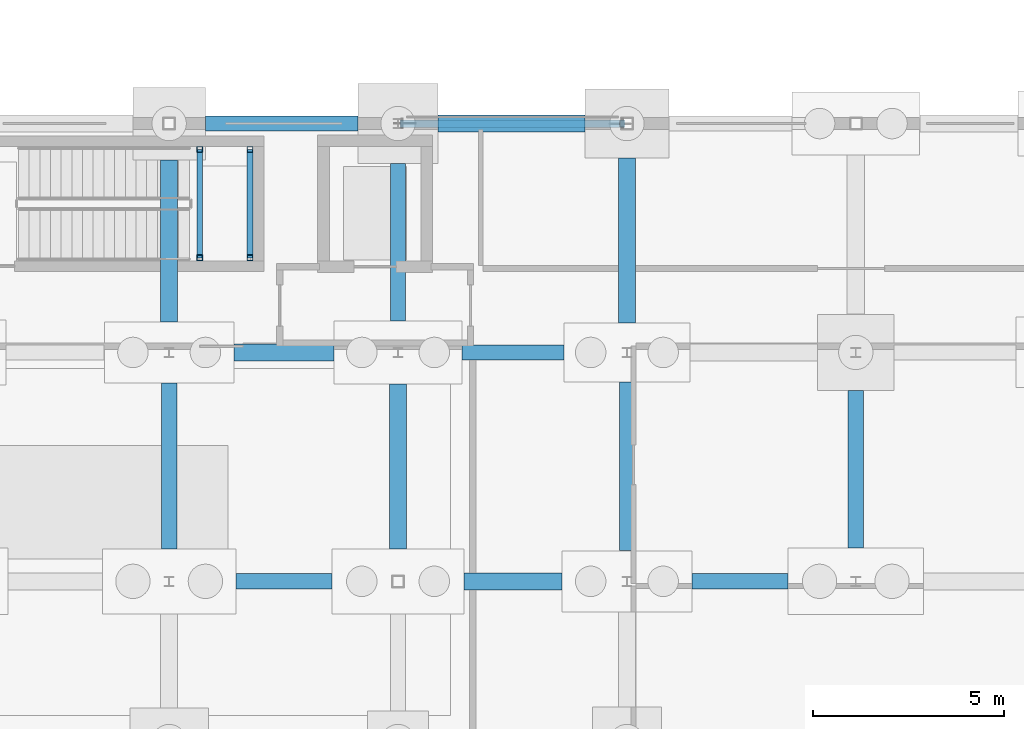
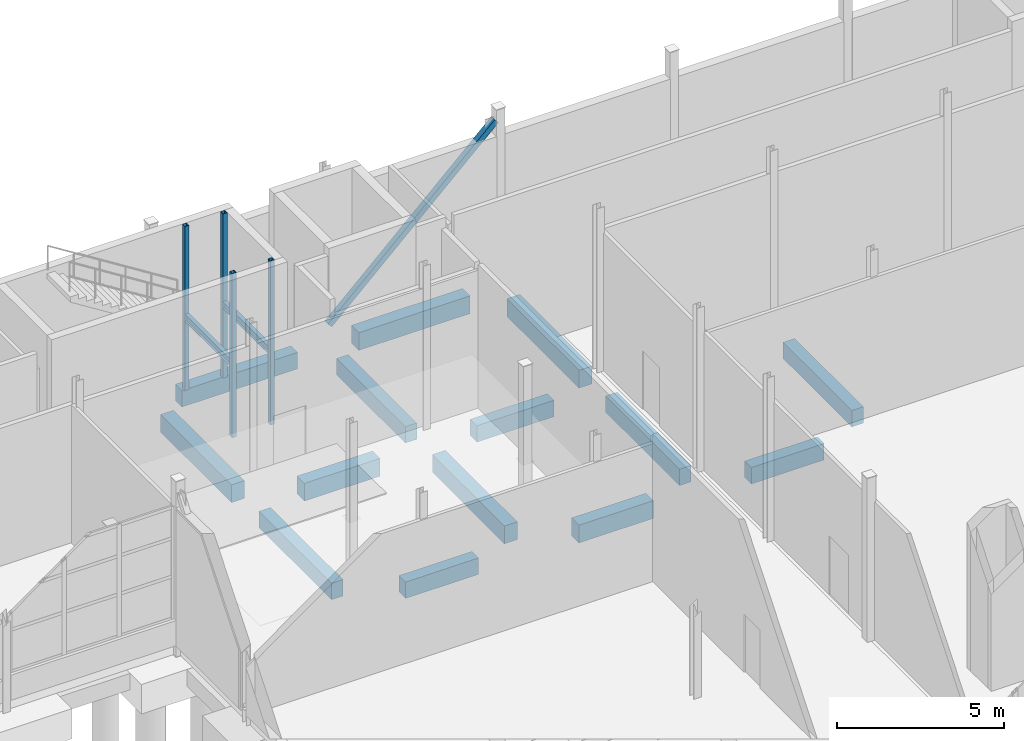
# One storey, part 57 of 120: 16 beams, 5 members.
"""IFC4 building model written with IfcOpenShell, lengths in metres."""

from ifc_helpers import new_model, si_unit, direction, frame, origin, origin_2d, place, context, subcontext, project, spatial, rectangle, hollow_rectangle, i_section, extrude, material, material_profile, profile_set, type_object, element, save


model = new_model("IFC4")

# Units and contexts
model_context = context("Model", 3, precision=1e-05, world=origin(), true_north=direction((0.0, 1.0)))
body_context = subcontext(model_context, "Body", "Model", "MODEL_VIEW")
ifc_project = project(units=[si_unit("LENGTHUNIT", "METRE"), si_unit("AREAUNIT", "SQUARE_METRE"), si_unit("VOLUMEUNIT", "CUBIC_METRE"), si_unit("PLANEANGLEUNIT", "RADIAN"), si_unit("MASSUNIT", "GRAM", prefix="KILO")], contexts=[model_context])

# Site, building, storey
site_placement = place(None, origin())
site = spatial("IfcSite", under=ifc_project, at=site_placement, CompositionType="ELEMENT")
building_placement = place(site_placement, origin())
building = spatial("IfcBuilding", under=site, at=building_placement, Name="Siltcreek Boulevard Central Fire Station", CompositionType="ELEMENT")
storey_placement = place(building_placement, origin())
storey = spatial("IfcBuildingStorey", under=building, at=storey_placement, Name="L01", CompositionType="ELEMENT", Elevation=0.0)

# Members
ifc_material_1 = material(Name="Structural steel ASTM A500 GrC", Category="steel")
ifc_material_profile_1 = material_profile(ifc_material_1, hollow_rectangle(XDim=0.14990234375, YDim=0.14990234375, WallThickness=0.008056640625, at=origin_2d()), Name="HSS150X150X8.0")
ifc_profile_set_1 = profile_set([ifc_material_profile_1], Name="Structural steel ASTM A500 GrC")
member_type_1 = type_object("IfcMemberType", Name="BR_HSS150_8", PredefinedType="BRACE", material=ifc_profile_set_1)
for number, where, z_axis, x_axis, name in (
    (1, (131.0, 26.47998046875, 0.0), (0.0, 0.0, 1.0), (1.0, 0.0, 0.0), "L01 ST-V6A stair landing corner post SW"),
    (2, (131.0, 29.320068359375, 0.0), (0.0, 0.0, 1.0), (1.0, 0.0, 0.0), "L01 ST-V6A stair landing corner post NW"),
    (3, (132.320068359375, 26.47998046875, 0.0), (0.0, 0.0, 1.0), (1.0, 0.0, 0.0), "L01 ST-V6A stair landing corner post SE"),
    (4, (132.320068359375, 29.320068359375, 0.0), (0.0, 0.0, 1.0), (1.0, 0.0, 0.0), "L01 ST-V6A stair landing corner post NE"),
):
    element("IfcMember", number, at=place(storey_placement, frame(where, z_axis=z_axis, x_axis=x_axis)), inside=storey, type_object=member_type_1, Name=name, PredefinedType="BRACE", context=body_context, shape_type="SweptSolid", body=[
        extrude(hollow_rectangle(XDim=0.14990234375, YDim=0.14990234375, WallThickness=0.008056640625, at=origin_2d()), origin(), (0.0, 0.0, 1.0), 6.0),
    ])
ifc_material_profile_2 = material_profile(ifc_material_1, hollow_rectangle(XDim=0.199951171875, YDim=0.199951171875, WallThickness=0.00634765625, at=origin_2d()), Name="HSS200X200X6.4")
ifc_profile_set_2 = profile_set([ifc_material_profile_2], Name="Structural steel ASTM A500 GrC")
member_type_2 = type_object("IfcMemberType", Name="BR_HSS200_6", PredefinedType="BRACE", material=ifc_profile_set_2)
member_placement = place(storey_placement, frame((136.320068359375, 30.0, 0.10009765625), z_axis=(0.726386990368, 0.0, 0.687285923197), x_axis=(0.0, 1.0, 0.0)))
element("IfcMember", 5, at=member_placement, inside=storey, type_object=member_type_2, Name="L01 buckling-restrained brace BR-039", PredefinedType="BRACE", context=body_context, shape_type="SweptSolid", body=[
    extrude(hollow_rectangle(XDim=0.199951171875, YDim=0.199951171875, WallThickness=0.00634765625, at=origin_2d()), origin(), (0.0, 0.0, 1.0), 7.9296875),
])

# Beams
ifc_material_2 = material(Name="Concrete C35/45", Category="concrete")
ifc_material_profile_3 = material_profile(ifc_material_2, rectangle(XDim=0.39990234375, YDim=0.60009765625, at=origin_2d()), Name="RC400X600")
ifc_profile_set_3 = profile_set([ifc_material_profile_3], Name="Concrete C35/45")
beam_type_1 = type_object("IfcBeamType", Name="GB_RC400X600", PredefinedType="USERDEFINED", material=ifc_profile_set_3)
for number, where, z_axis, x_axis, name in (
    (6, (131.951904296875, 18.0, -0.7099609375), (1.0, 0.0, 0.0), (0.0, 1.0, 0.0), "Reinforced concrete tie grade beam GB-045"),
    (7, (143.902099609375, 18.0, -0.7099609375), (1.0, 0.0, 0.0), (0.0, 1.0, 0.0), "Reinforced concrete tie grade beam GB-047"),
):
    element("IfcBeam", number, at=place(storey_placement, frame(where, z_axis=z_axis, x_axis=x_axis)), inside=storey, type_object=beam_type_1, Name=name, ObjectType="GRADE BEAM", PredefinedType="USERDEFINED", context=body_context, shape_type="SweptSolid", body=[
        extrude(rectangle(XDim=0.39990234375, YDim=0.60009765625, at=origin_2d()), origin(), (0.0, 0.0, 1.0), 2.52099609375),
    ])
beam_1_placement = place(storey_placement, frame((137.876953125, 24.0, -0.7099609375), z_axis=(1.0, 0.0, 0.0), x_axis=(0.0, 1.0, 0.0)))
element("IfcBeam", 8, at=beam_1_placement, inside=storey, type_object=beam_type_1, Name="Reinforced concrete tie grade beam GB-061", ObjectType="GRADE BEAM", PredefinedType="USERDEFINED", context=body_context, shape_type="SweptSolid", body=[
    extrude(rectangle(XDim=0.39990234375, YDim=0.60009765625, at=origin_2d()), origin(), (0.0, 0.0, 1.0), 2.671142578125),
])
beam_2_placement = place(storey_placement, frame((131.152099609375, 30.0, -0.7099609375), z_axis=(1.0, 0.0, 0.0), x_axis=(0.0, 1.0, 0.0)))
element("IfcBeam", 9, at=beam_2_placement, inside=storey, type_object=beam_type_1, Name="Reinforced concrete tie grade beam GB-075", ObjectType="GRADE BEAM", PredefinedType="USERDEFINED", context=body_context, shape_type="SweptSolid", body=[
    extrude(rectangle(XDim=0.39990234375, YDim=0.60009765625, at=origin_2d()), origin(), (0.0, 0.0, 1.0), 3.995849609375),
])
beam_3_placement = place(storey_placement, frame((130.199951171875, 18.85205078125, -0.7099609375), z_axis=(0.0, 1.0, 0.0), x_axis=(-1.0, 0.0, 0.0)))
element("IfcBeam", 10, at=beam_3_placement, inside=storey, type_object=beam_type_1, Name="Reinforced concrete tie grade beam GB-213", ObjectType="GRADE BEAM", PredefinedType="USERDEFINED", context=body_context, shape_type="SweptSolid", body=[
    extrude(rectangle(XDim=0.39990234375, YDim=0.60009765625, at=origin_2d()), origin(), (0.0, 0.0, 1.0), 4.345947265625),
])
beam_4_placement = place(storey_placement, frame((136.199951171875, 24.826904296875, -0.7099609375), z_axis=(0.0, 1.0, 0.0), x_axis=(-1.0, 0.0, 0.0)))
element("IfcBeam", 11, at=beam_4_placement, inside=storey, type_object=beam_type_1, Name="Reinforced concrete tie grade beam GB-219", ObjectType="GRADE BEAM", PredefinedType="USERDEFINED", context=body_context, shape_type="SweptSolid", body=[
    extrude(rectangle(XDim=0.39990234375, YDim=0.60009765625, at=origin_2d()), origin(), (0.0, 0.0, 1.0), 4.12109375),
])
beam_5_placement = place(storey_placement, frame((142.199951171875, 18.802001953125, -0.7099609375), z_axis=(0.0, 1.0, 0.0), x_axis=(-1.0, 0.0, 0.0)))
element("IfcBeam", 12, at=beam_5_placement, inside=storey, type_object=beam_type_1, Name="Reinforced concrete tie grade beam GB-223", ObjectType="GRADE BEAM", PredefinedType="USERDEFINED", context=body_context, shape_type="SweptSolid", body=[
    extrude(rectangle(XDim=0.39990234375, YDim=0.60009765625, at=origin_2d()), origin(), (0.0, 0.0, 1.0), 4.4208984375),
])
beam_6_placement = place(storey_placement, frame((148.199951171875, 18.876953125, -0.7099609375), z_axis=(0.0, 1.0, 0.0), x_axis=(-1.0, 0.0, 0.0)))
element("IfcBeam", 13, at=beam_6_placement, inside=storey, type_object=beam_type_1, Name="Reinforced concrete tie grade beam GB-225", ObjectType="GRADE BEAM", PredefinedType="USERDEFINED", context=body_context, shape_type="SweptSolid", body=[
    extrude(rectangle(XDim=0.39990234375, YDim=0.60009765625, at=origin_2d()), origin(), (0.0, 0.0, 1.0), 4.12109375),
])
ifc_material_profile_4 = material_profile(ifc_material_2, rectangle(XDim=0.449951171875, YDim=0.64990234375, at=origin_2d()), Name="RC450X650")
ifc_profile_set_4 = profile_set([ifc_material_profile_4], Name="Concrete C35/45")
beam_type_2 = type_object("IfcBeamType", Name="GB_RC450X650", PredefinedType="USERDEFINED", material=ifc_profile_set_4)
beam_7_placement = place(storey_placement, frame((137.927001953125, 18.0, -0.735107421875), z_axis=(1.0, 0.0, 0.0), x_axis=(0.0, 1.0, 0.0)))
element("IfcBeam", 14, at=beam_7_placement, inside=storey, type_object=beam_type_2, Name="Reinforced concrete tie grade beam GB-046", ObjectType="GRADE BEAM", PredefinedType="USERDEFINED", context=body_context, shape_type="SweptSolid", body=[
    extrude(rectangle(XDim=0.449951171875, YDim=0.64990234375, at=origin_2d()), origin(), (0.0, 0.0, 1.0), 2.571044921875),
])
beam_8_placement = place(storey_placement, frame((131.902099609375, 24.0, -0.735107421875), z_axis=(1.0, 0.0, 0.0), x_axis=(0.0, 1.0, 0.0)))
element("IfcBeam", 15, at=beam_8_placement, inside=storey, type_object=beam_type_2, Name="Reinforced concrete tie grade beam GB-060", ObjectType="GRADE BEAM", PredefinedType="USERDEFINED", context=body_context, shape_type="SweptSolid", body=[
    extrude(rectangle(XDim=0.449951171875, YDim=0.64990234375, at=origin_2d()), origin(), (0.0, 0.0, 1.0), 2.620849609375),
])
beam_9_placement = place(storey_placement, frame((137.251953125, 30.0, -0.735107421875), z_axis=(1.0, 0.0, 0.0), x_axis=(0.0, 1.0, 0.0)))
element("IfcBeam", 16, at=beam_9_placement, inside=storey, type_object=beam_type_2, Name="Reinforced concrete tie grade beam GB-076", ObjectType="GRADE BEAM", PredefinedType="USERDEFINED", context=body_context, shape_type="SweptSolid", body=[
    extrude(rectangle(XDim=0.449951171875, YDim=0.64990234375, at=origin_2d()), origin(), (0.0, 0.0, 1.0), 3.845947265625),
])
beam_10_placement = place(storey_placement, frame((130.199951171875, 24.802001953125, -0.735107421875), z_axis=(0.0, 1.0, 0.0), x_axis=(-1.0, 0.0, 0.0)))
element("IfcBeam", 17, at=beam_10_placement, inside=storey, type_object=beam_type_2, Name="Reinforced concrete tie grade beam GB-214", ObjectType="GRADE BEAM", PredefinedType="USERDEFINED", context=body_context, shape_type="SweptSolid", body=[
    extrude(rectangle(XDim=0.449951171875, YDim=0.64990234375, at=origin_2d()), origin(), (0.0, 0.0, 1.0), 4.24609375),
])
beam_11_placement = place(storey_placement, frame((136.199951171875, 18.85205078125, -0.735107421875), z_axis=(0.0, 1.0, 0.0), x_axis=(-1.0, 0.0, 0.0)))
element("IfcBeam", 18, at=beam_11_placement, inside=storey, type_object=beam_type_2, Name="Reinforced concrete tie grade beam GB-218", ObjectType="GRADE BEAM", PredefinedType="USERDEFINED", context=body_context, shape_type="SweptSolid", body=[
    extrude(rectangle(XDim=0.449951171875, YDim=0.64990234375, at=origin_2d()), origin(), (0.0, 0.0, 1.0), 4.321044921875),
])
beam_12_placement = place(storey_placement, frame((142.199951171875, 24.777099609375, -0.735107421875), z_axis=(0.0, 1.0, 0.0), x_axis=(-1.0, 0.0, 0.0)))
element("IfcBeam", 19, at=beam_12_placement, inside=storey, type_object=beam_type_2, Name="Reinforced concrete tie grade beam GB-224", ObjectType="GRADE BEAM", PredefinedType="USERDEFINED", context=body_context, shape_type="SweptSolid", body=[
    extrude(rectangle(XDim=0.449951171875, YDim=0.64990234375, at=origin_2d()), origin(), (0.0, 0.0, 1.0), 4.32080078125),
])
ifc_material_3 = material(Name="Structural steel ASTM A992 Gr50", Category="steel")
ifc_material_profile_5 = material_profile(ifc_material_3, i_section(OverallWidth=0.14697265625, OverallDepth=0.261962890625, WebThickness=0.006591796875, FlangeThickness=0.01123046875, at=origin_2d()), Name="W250X39")
ifc_profile_set_5 = profile_set([ifc_material_profile_5], Name="Structural steel ASTM A992 Gr50")
beam_type_3 = type_object("IfcBeamType", Name="JST_W250X39", PredefinedType="JOIST", material=ifc_profile_set_5)
for number, where, z_axis, x_axis, name in (
    (20, (131.0, 26.47998046875, 2.6689453125), (0.0, 1.0, 0.0), (-1.0, 0.0, 0.0), "L01 ST-V6A stair landing bearer MIDW"),
    (21, (132.320068359375, 26.47998046875, 2.6689453125), (0.0, 1.0, 0.0), (-1.0, 0.0, 0.0), "L01 ST-V6A stair landing bearer MIDE"),
):
    element("IfcBeam", number, at=place(storey_placement, frame(where, z_axis=z_axis, x_axis=x_axis)), inside=storey, type_object=beam_type_3, Name=name, PredefinedType="JOIST", context=body_context, shape_type="SweptSolid", body=[
        extrude(i_section(OverallWidth=0.14697265625, OverallDepth=0.261962890625, WebThickness=0.006591796875, FlangeThickness=0.01123046875, at=origin_2d()), origin(), (0.0, 0.0, 1.0), 2.840087890625),
    ])

save(model, "model.ifc")
